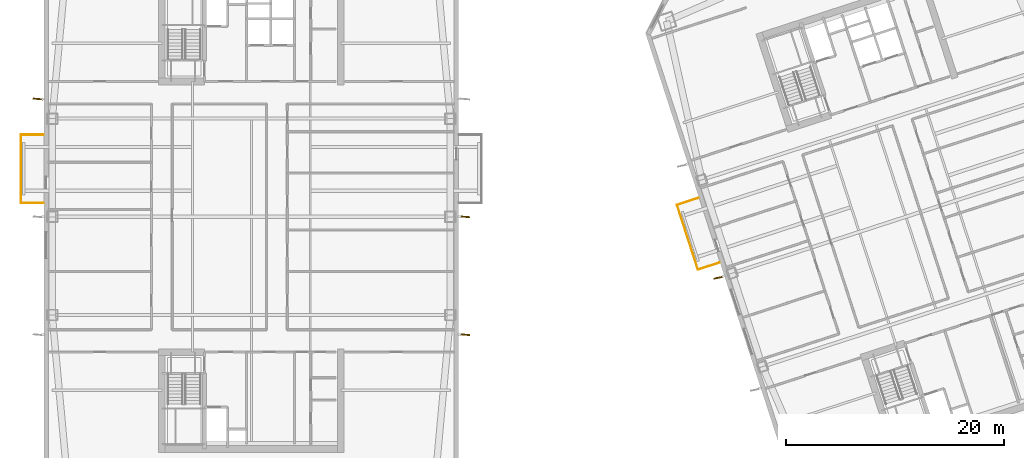
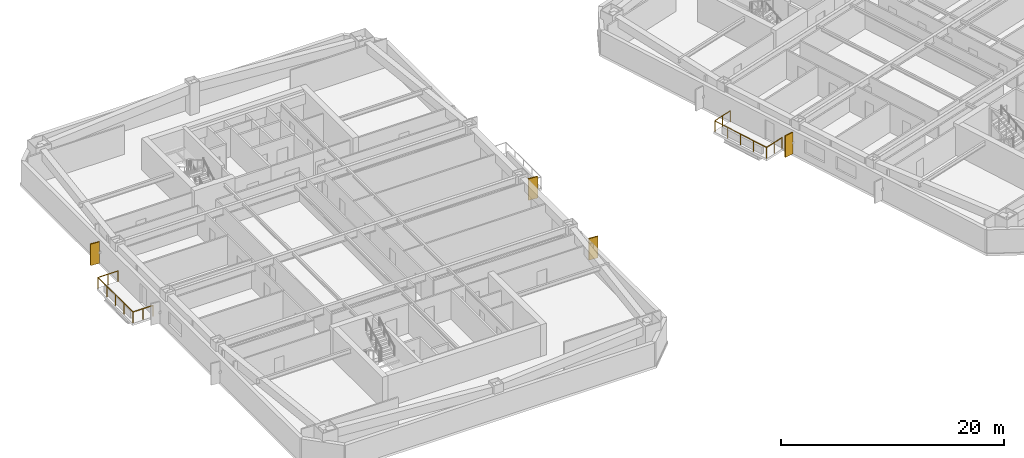
# One storey, part 20 of 23: 4 shading devices, 2 railings.
"""IFC4 building model written with IfcOpenShell, lengths in metres."""

from ifc_helpers import new_model, si_unit, direction, frame, origin, origin_2d, place, context, subcontext, project, spatial, rectangle, circle, extrude, material, layer, layer_set, type_object, element, save


model = new_model("IFC4")

# Units and contexts
model_context = context("Model", 3, precision=1e-05, world=origin(), true_north=direction((0.0, 1.0)))
body_context = subcontext(model_context, "Body", "Model", "MODEL_VIEW")
ifc_project = project(units=[si_unit("LENGTHUNIT", "METRE"), si_unit("AREAUNIT", "SQUARE_METRE"), si_unit("VOLUMEUNIT", "CUBIC_METRE"), si_unit("PLANEANGLEUNIT", "RADIAN"), si_unit("MASSUNIT", "GRAM", prefix="KILO")], contexts=[model_context])

# Site, building, storey
site_placement = place(None, origin())
site = spatial("IfcSite", under=ifc_project, at=site_placement, CompositionType="ELEMENT")
building_placement = place(site_placement, origin())
building = spatial("IfcBuilding", under=site, at=building_placement, Name="Qiaolan Cultural Towers", CompositionType="ELEMENT")
storey_placement = place(building_placement, frame((0.0, 0.0, 100.050048828125)))
storey = spatial("IfcBuildingStorey", under=building, at=storey_placement, Name="L25", CompositionType="ELEMENT", Elevation=100.050048828125)

# Railings
ifc_material_1 = material(Name="Laminated SentryGlas & Stainless Steel S31608 Balustrade", Category="steel")
railing_type = type_object("IfcRailingType", Name="GRD-TERR-1200", PredefinedType="BALUSTRADE", material=ifc_material_1)
railing_1_placement = place(storey_placement, frame((10.949951171875, 35.280029296875, 0.0)))
element("IfcRailing", 1, at=railing_1_placement, inside=storey, type_object=railing_type, Name="L25 T1 Tree Balcony Guardrail W", PredefinedType="BALUSTRADE", context=body_context, shape_type="SweptSolid", body=[
    extrude(circle(Radius=0.02392578125, at=origin_2d()), frame((0.0, 0.0, 1.17578125), z_axis=(-1.0, 0.0, 0.0), x_axis=(0.0, -1.0, 0.0)), (0.0, 0.0, 1.0), 2.070068359375),
    extrude(circle(Radius=0.02392578125, at=origin_2d()), frame((-2.070068359375, 0.0, 1.17578125), z_axis=(0.0, 1.0, 0.0), x_axis=(-1.0, 0.0, 0.0)), (0.0, 0.0, 1.0), 6.239990234375),
    extrude(circle(Radius=0.02392578125, at=origin_2d()), frame((-2.070068359375, 6.239990234375, 1.17578125), z_axis=(1.0, 0.0, 0.0), x_axis=(0.0, 1.0, 0.0)), (0.0, 0.0, 1.0), 2.070068359375),
    extrude(circle(Radius=0.02099609375, at=origin_2d()), origin(), (0.0, 0.0, 1.0), 1.15185546875),
    extrude(circle(Radius=0.02099609375, at=origin_2d()), frame((-1.03515625, 0.0, 0.0)), (0.0, 0.0, 1.0), 1.15185546875),
    extrude(circle(Radius=0.02099609375, at=origin_2d()), frame((-2.070068359375, 0.0, 0.0)), (0.0, 0.0, 1.0), 1.15185546875),
    extrude(circle(Radius=0.02099609375, at=origin_2d()), frame((-2.070068359375, 1.56005859375, 0.0)), (0.0, 0.0, 1.0), 1.15185546875),
    extrude(circle(Radius=0.02099609375, at=origin_2d()), frame((-2.070068359375, 3.1201171875, 0.0)), (0.0, 0.0, 1.0), 1.15185546875),
    extrude(circle(Radius=0.02099609375, at=origin_2d()), frame((-2.070068359375, 4.679931640625, 0.0)), (0.0, 0.0, 1.0), 1.15185546875),
    extrude(circle(Radius=0.02099609375, at=origin_2d()), frame((-2.070068359375, 6.239990234375, 0.0)), (0.0, 0.0, 1.0), 1.15185546875),
    extrude(circle(Radius=0.02099609375, at=origin_2d()), frame((-1.03515625, 6.239990234375, 0.0)), (0.0, 0.0, 1.0), 1.15185546875),
    extrude(circle(Radius=0.02099609375, at=origin_2d()), frame((0.0, 6.239990234375, 0.0)), (0.0, 0.0, 1.0), 1.15185546875),
])
railing_2_placement = place(storey_placement, frame((72.913330078125, 29.794189453125, 0.0)))
element("IfcRailing", 2, at=railing_2_placement, inside=storey, type_object=railing_type, Name="L25 T2 Tree Balcony Guardrail W", PredefinedType="BALUSTRADE", context=body_context, shape_type="SweptSolid", body=[
    extrude(circle(Radius=0.02392578125, at=origin_2d()), frame((0.0, 0.0, 1.17578125), z_axis=(-0.951050536716, -0.309035397023, 0.0), x_axis=(0.309035397023, -0.951050536716, 0.0)), (0.0, 0.0, 1.0), 2.06982421875),
    extrude(circle(Radius=0.02392578125, at=origin_2d()), frame((-1.968505859375, -0.6396484375, 1.17578125), z_axis=(-0.309047146287, 0.951046718817, 0.0), x_axis=(-0.951046718817, -0.309047146287, 0.0)), (0.0, 0.0, 1.0), 6.239990234375),
    extrude(circle(Radius=0.02392578125, at=origin_2d()), frame((-3.89697265625, 5.294921875, 1.17578125), z_axis=(0.951061799618, 0.309000733507, 0.0), x_axis=(-0.309000733507, 0.951061799618, 0.0)), (0.0, 0.0, 1.0), 2.070068359375),
    extrude(circle(Radius=0.02099609375, at=origin_2d()), origin(), (0.0, 0.0, 1.0), 1.15185546875),
    extrude(circle(Radius=0.02099609375, at=origin_2d()), frame((-0.984375, -0.31982421875, 0.0)), (0.0, 0.0, 1.0), 1.15185546875),
    extrude(circle(Radius=0.02099609375, at=origin_2d()), frame((-1.968505859375, -0.6396484375, 0.0)), (0.0, 0.0, 1.0), 1.15185546875),
    extrude(circle(Radius=0.02099609375, at=origin_2d()), frame((-2.45068359375, 0.843994140625, 0.0)), (0.0, 0.0, 1.0), 1.15185546875),
    extrude(circle(Radius=0.02099609375, at=origin_2d()), frame((-2.9326171875, 2.32763671875, 0.0)), (0.0, 0.0, 1.0), 1.15185546875),
    extrude(circle(Radius=0.02099609375, at=origin_2d()), frame((-3.414794921875, 3.811279296875, 0.0)), (0.0, 0.0, 1.0), 1.15185546875),
    extrude(circle(Radius=0.02099609375, at=origin_2d()), frame((-3.89697265625, 5.294921875, 0.0)), (0.0, 0.0, 1.0), 1.15185546875),
    extrude(circle(Radius=0.02099609375, at=origin_2d()), frame((-2.91259765625, 5.61474609375, 0.0)), (0.0, 0.0, 1.0), 1.15185546875),
    extrude(circle(Radius=0.02099609375, at=origin_2d()), frame((-1.92822265625, 5.9345703125, 0.0)), (0.0, 0.0, 1.0), 1.15185546875),
])

# Shading devices
ifc_material_2 = material(Name="Dark Basalt Honed Precast Terracotta Fin", Category="masonry")
ifc_layer = layer(ifc_material_2, 0.1201171875)
ifc_layer_set = layer_set([ifc_layer], Name="Dark Basalt Honed Precast Terracotta Fin")
shading_device_type = type_object("IfcShadingDeviceType", Name="SHD-FIN-DARK", PredefinedType="USERDEFINED", material=ifc_layer_set)
for number, where, z_axis, x_axis, name in (
    (3, (10.43994140625, 44.800048828125, 0.099853515625), (0.0, 0.0, 1.0), (0.995993912618, -0.089421060319, 0.0), "L25 T1 Expressive Precast Vertical Fin W3"),
    (4, (49.56005859375, 23.199951171875, 0.099853515625), (0.0, 0.0, 1.0), (0.995993912618, -0.089421060319, 0.0), "L25 T1 Expressive Precast Vertical Fin E1"),
    (5, (49.56005859375, 34.0, 0.099853515625), (0.0, 0.0, 1.0), (0.995993912618, -0.089421060319, 0.0), "L25 T1 Expressive Precast Vertical Fin E2"),
    (6, (72.823974609375, 28.419189453125, 0.099853515625), (0.0, 0.0, 1.0), (0.974879128079, 0.222734563182, 0.0), "L25 T2 Expressive Precast Vertical Fin W2"),
):
    element("IfcShadingDevice", number, at=place(storey_placement, frame(where, z_axis=z_axis, x_axis=x_axis)), inside=storey, type_object=shading_device_type, Name=name, ObjectType="FIN", PredefinedType="USERDEFINED", context=body_context, shape_type="SweptSolid", body=[
        extrude(rectangle(XDim=0.89990234375, YDim=0.1201171875, at=origin_2d()), origin(), (0.0, 0.0, 1.0), 2.35009765625),
    ])

save(model, "model.ifc")
